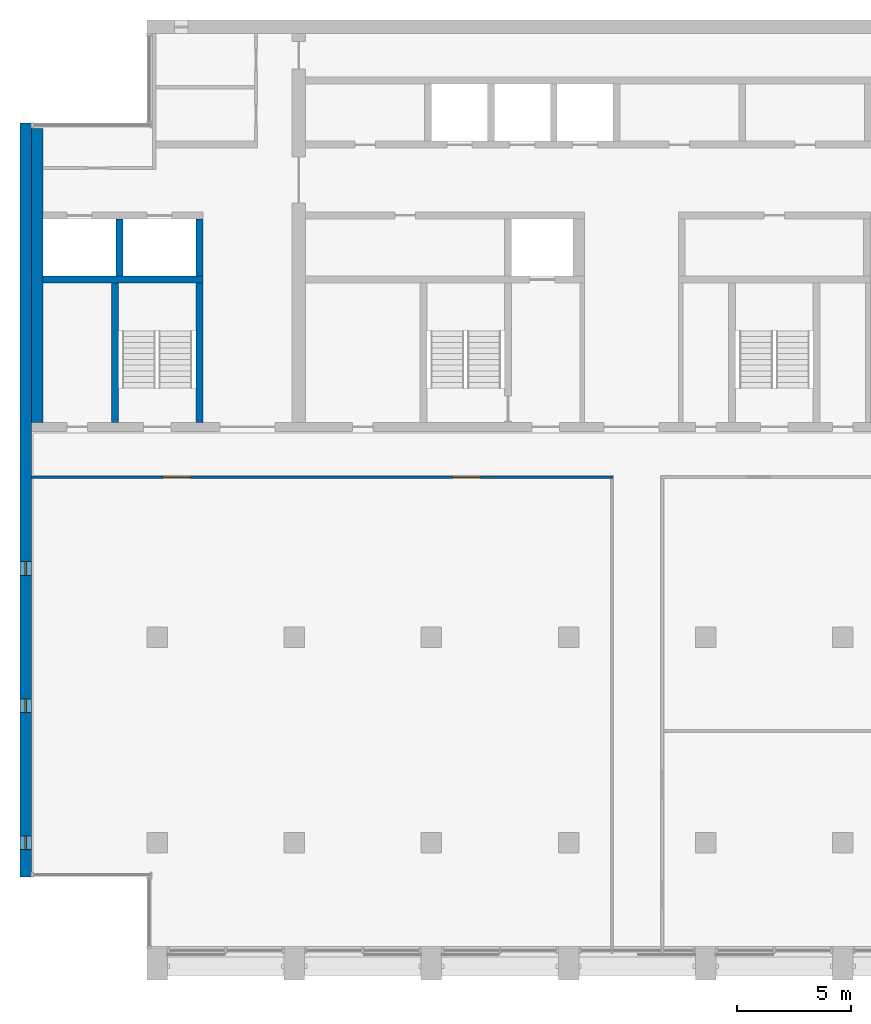
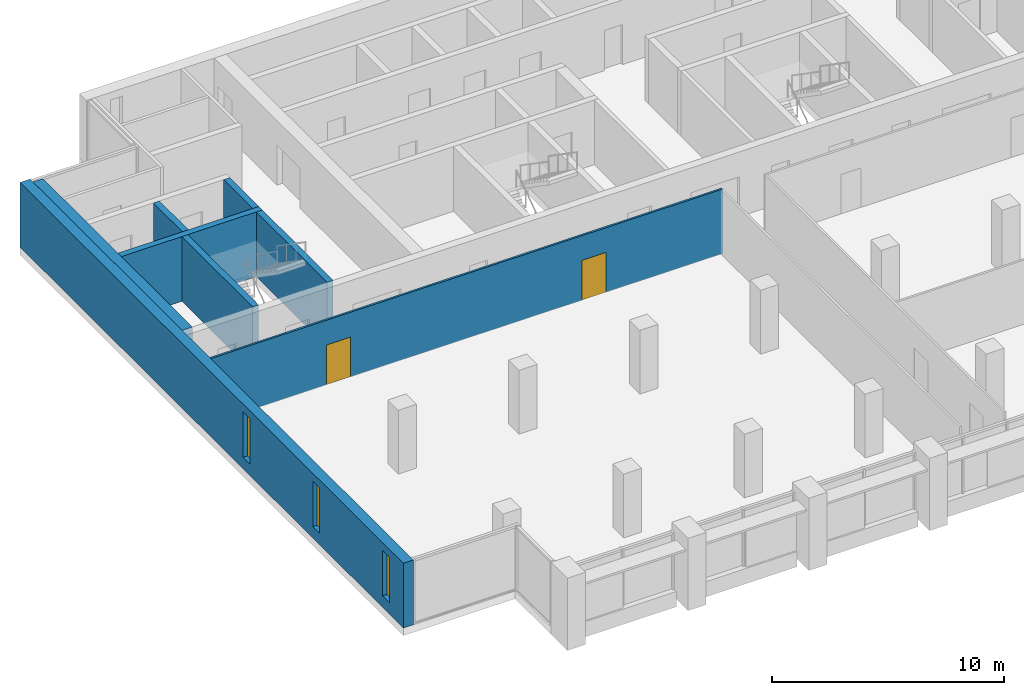
# One storey, part 7 of 14: 8 walls, 3 windows, 2 doors, 5 openings.
"""IFC4 building model written with IfcOpenShell, lengths in metres."""

from ifc_helpers import new_model, si_unit, direction, frame, frame_2d, origin, place, context, subcontext, project, spatial, rectangle, extrude, material, layer, layer_set, type_object, element, fill, save


model = new_model("IFC4")

# Units and contexts
model_context = context("Model", 3, precision=1e-05, world=origin(), true_north=direction((0.0, 1.0)))
body_context = subcontext(model_context, "Body", "Model", "MODEL_VIEW")
ifc_project = project(units=[si_unit("LENGTHUNIT", "METRE"), si_unit("AREAUNIT", "SQUARE_METRE"), si_unit("VOLUMEUNIT", "CUBIC_METRE"), si_unit("PLANEANGLEUNIT", "RADIAN"), si_unit("MASSUNIT", "GRAM", prefix="KILO")], contexts=[model_context])

# Site, building, storey
site_placement = place(None, origin())
site = spatial("IfcSite", under=ifc_project, at=site_placement, CompositionType="ELEMENT")
building_placement = place(site_placement, origin())
building = spatial("IfcBuilding", under=site, at=building_placement, Name="Calvaro Tower", CompositionType="ELEMENT")
storey_placement = place(building_placement, frame((0.0, 0.0, 243.14990234375)))
storey = spatial("IfcBuildingStorey", under=building, at=storey_placement, Name="L61", CompositionType="ELEMENT", Elevation=243.14990234375)

# Walls
ifc_material_1 = material(Name="Concrete C40/50", Category="concrete")
ifc_layer_1 = layer(ifc_material_1, 0.300048828125)
ifc_layer_set_1 = layer_set([ifc_layer_1], Name="Concrete C40/50")
wall_type_1 = type_object("IfcWallType", Name="Core wall C40/50 300", PredefinedType="SHEAR", material=ifc_layer_set_1)
for number, where, z_axis, x_axis, name in (
    (1, (10.14990234375, 28.39990234375, 0.0), (0.0, 0.0, 1.0), (0.0, 1.0, 0.0), "Core wall, stair enclosure"),
    (2, (13.85009765625, 28.39990234375, 0.0), (0.0, 0.0, 1.0), (0.0, 1.0, 0.0), "Core wall, stair enclosure"),
):
    element("IfcWall", number, at=place(storey_placement, frame(where, z_axis=z_axis, x_axis=x_axis)), inside=storey, type_object=wall_type_1, Name=name, PredefinedType="SHEAR", context=body_context, shape_type="SweptSolid", body=[
        extrude(rectangle(XDim=6.10009765625, YDim=0.300048828125, at=frame_2d((3.050048828125, 0.0))), origin(), (0.0, 0.0, 1.0), 3.400146484375),
    ])
wall_1_placement = place(storey_placement, frame((7.0, 34.64990234375, 0.0), z_axis=(0.0, 0.0, 1.0), x_axis=(1.0, 0.0, 0.0)))
element("IfcWall", 3, at=wall_1_placement, inside=storey, type_object=wall_type_1, Name="Core wall, lift shaft", PredefinedType="SHEAR", context=body_context, shape_type="SweptSolid", body=[
    extrude(rectangle(XDim=7.0, YDim=0.300048828125, at=frame_2d((3.5, 0.0))), origin(), (0.0, 0.0, 1.0), 3.400146484375),
])
for number, where, z_axis, x_axis, name in (
    (4, (13.85009765625, 34.800048828125, 0.0), (0.0, 0.0, 1.0), (0.0, 1.0, 0.0), "Core wall, lift shaft"),
    (5, (10.35009765625, 34.800048828125, 0.0), (0.0, 0.0, 1.0), (0.0, 1.0, 0.0), "Core wall, lift shaft"),
):
    element("IfcWall", number, at=place(storey_placement, frame(where, z_axis=z_axis, x_axis=x_axis)), inside=storey, type_object=wall_type_1, Name=name, PredefinedType="SHEAR", context=body_context, shape_type="SweptSolid", body=[
        extrude(rectangle(XDim=2.5, YDim=0.300048828125, at=frame_2d((1.25, 0.0))), origin(), (0.0, 0.0, 1.0), 3.400146484375),
    ])
ifc_material_2 = material(Name="Concrete C40/50", Category="concrete")
ifc_layer_2 = layer(ifc_material_2, 0.5)
ifc_layer_set_2 = layer_set([ifc_layer_2], Name="Concrete C40/50")
wall_type_2 = type_object("IfcWallType", Name="Core wall C40/50 500", PredefinedType="SHEAR", material=ifc_layer_set_2)
wall_2_placement = place(storey_placement, frame((6.75, 28.39990234375, 0.0), z_axis=(0.0, 0.0, 1.0), x_axis=(0.0, 1.0, 0.0)))
element("IfcWall", 6, at=wall_2_placement, inside=storey, type_object=wall_type_2, Name="Core wall, boundary", PredefinedType="SHEAR", context=body_context, shape_type="SweptSolid", body=[
    extrude(rectangle(XDim=12.85009765625, YDim=0.5, at=frame_2d((6.425048828125, 0.0))), origin(), (0.0, 0.0, 1.0), 3.400146484375),
])

# Wall, openings, windows
ifc_material_3 = material(Name="Concrete C40/50", Category="concrete")
ifc_layer_3 = layer(ifc_material_3, 0.5)
ifc_layer_set_3 = layer_set([ifc_layer_3], Name="Concrete C40/50")
wall_type_3 = type_object("IfcWallType", Name="End wall 500 C40/50", PredefinedType="SHEAR", material=ifc_layer_set_3)
wall_3_placement = place(storey_placement, frame((6.25, 8.5, 0.0), z_axis=(0.0, 0.0, 1.0), x_axis=(0.0, 1.0, 0.0)))
wall_3 = element("IfcWall", 7, at=wall_3_placement, inside=storey, type_object=wall_type_3, Name="End shear wall", PredefinedType="SHEAR", context=body_context, shape_type="SweptSolid", body=[
    extrude(rectangle(XDim=33.0, YDim=0.5, at=frame_2d((16.5, 0.0))), origin(), (0.0, 0.0, 1.0), 3.400146484375),
])
opening_1_placement = place(wall_3_placement, frame((1.199951171875, 0.0, 0.60009765625)))
opening_1 = element("IfcOpeningElement", 8, at=opening_1_placement, cuts=wall_3, Name="Opening WW01", PredefinedType="OPENING", context=body_context, shape_type="SweptSolid", body=[
    extrude(rectangle(XDim=0.60009765625, YDim=2.39990234375, at=frame_2d((0.300048828125, 1.199951171875))), frame((0.0, 0.260009765625, 0.0), z_axis=(0.0, -1.0, 0.0), x_axis=(1.0, 0.0, 0.0)), (0.0, 0.0, 1.0), 0.52001953125),
])
opening_2_placement = place(wall_3_placement, frame((7.199951171875, 0.0, 0.60009765625)))
opening_2 = element("IfcOpeningElement", 9, at=opening_2_placement, cuts=wall_3, Name="Opening WW02", PredefinedType="OPENING", context=body_context, shape_type="SweptSolid", body=[
    extrude(rectangle(XDim=0.60009765625, YDim=2.39990234375, at=frame_2d((0.300048828125, 1.199951171875))), frame((0.0, 0.260009765625, 0.0), z_axis=(0.0, -1.0, 0.0), x_axis=(1.0, 0.0, 0.0)), (0.0, 0.0, 1.0), 0.52001953125),
])
opening_3_placement = place(wall_3_placement, frame((13.199951171875, 0.0, 0.60009765625)))
opening_3 = element("IfcOpeningElement", 10, at=opening_3_placement, cuts=wall_3, Name="Opening WW03", PredefinedType="OPENING", context=body_context, shape_type="SweptSolid", body=[
    extrude(rectangle(XDim=0.60009765625, YDim=2.39990234375, at=frame_2d((0.300048828125, 1.199951171875))), frame((0.0, 0.260009765625, 0.0), z_axis=(0.0, -1.0, 0.0), x_axis=(1.0, 0.0, 0.0)), (0.0, 0.0, 1.0), 0.52001953125),
])
ifc_material_4 = material(Name="Glass", Category="glass")
window_type = type_object("IfcWindowType", Name="Slit window 600 x 2400", PartitioningType="SINGLE_PANEL", PredefinedType="WINDOW", material=ifc_material_4)
window_1_placement = place(opening_1_placement, origin())
window_1 = element("IfcWindow", 11, at=window_1_placement, inside=storey, type_object=window_type, Name="Window WW01", OverallHeight=2.39990234375, OverallWidth=0.60009765625, PartitioningType="SINGLE_PANEL", PredefinedType="WINDOW", context=body_context, shape_type="SweptSolid", body=[
    extrude(rectangle(XDim=0.60009765625, YDim=2.39990234375, at=frame_2d((0.300048828125, 1.199951171875))), frame((0.0, 0.030029296875, 0.0), z_axis=(0.0, -1.0, 0.0), x_axis=(1.0, 0.0, 0.0)), (0.0, 0.0, 1.0), 0.06005859375),
])
fill(opening_1, window_1)
window_2_placement = place(opening_2_placement, origin())
window_2 = element("IfcWindow", 12, at=window_2_placement, inside=storey, type_object=window_type, Name="Window WW02", OverallHeight=2.39990234375, OverallWidth=0.60009765625, PartitioningType="SINGLE_PANEL", PredefinedType="WINDOW", context=body_context, shape_type="SweptSolid", body=[
    extrude(rectangle(XDim=0.60009765625, YDim=2.39990234375, at=frame_2d((0.300048828125, 1.199951171875))), frame((0.0, 0.030029296875, 0.0), z_axis=(0.0, -1.0, 0.0), x_axis=(1.0, 0.0, 0.0)), (0.0, 0.0, 1.0), 0.06005859375),
])
fill(opening_2, window_2)
window_3_placement = place(opening_3_placement, origin())
window_3 = element("IfcWindow", 13, at=window_3_placement, inside=storey, type_object=window_type, Name="Window WW03", OverallHeight=2.39990234375, OverallWidth=0.60009765625, PartitioningType="SINGLE_PANEL", PredefinedType="WINDOW", context=body_context, shape_type="SweptSolid", body=[
    extrude(rectangle(XDim=0.60009765625, YDim=2.39990234375, at=frame_2d((0.300048828125, 1.199951171875))), frame((0.0, 0.030029296875, 0.0), z_axis=(0.0, -1.0, 0.0), x_axis=(1.0, 0.0, 0.0)), (0.0, 0.0, 1.0), 0.06005859375),
])
fill(opening_3, window_3)

# Wall, openings, doors
ifc_material_5 = material(Name="Plasterboard on steel studs", Category="steel")
ifc_layer_4 = layer(ifc_material_5, 0.10009765625)
ifc_layer_set_4 = layer_set([ifc_layer_4], Name="Plasterboard on steel studs")
wall_type_4 = type_object("IfcWallType", Name="Partition 100", PredefinedType="PARTITIONING", material=ifc_layer_set_4)
wall_4_placement = place(storey_placement, frame((6.5, 26.0, 0.0), z_axis=(0.0, 0.0, 1.0), x_axis=(1.0, 0.0, 0.0)))
wall_4 = element("IfcWall", 14, at=wall_4_placement, inside=storey, type_object=wall_type_4, Name="Partition T35.W002", PredefinedType="PARTITIONING", context=body_context, shape_type="SweptSolid", body=[
    extrude(rectangle(XDim=25.449951171875, YDim=0.10009765625, at=frame_2d((12.72509765625, 0.0))), origin(), (0.0, 0.0, 1.0), 3.400146484375),
])
opening_4_placement = place(wall_4_placement, frame((5.75, 0.0, 0.0)))
opening_4 = element("IfcOpeningElement", 15, at=opening_4_placement, cuts=wall_4, Name="Opening T35.003", PredefinedType="OPENING", context=body_context, shape_type="SweptSolid", body=[
    extrude(rectangle(XDim=1.199951171875, YDim=2.10009765625, at=frame_2d((0.60009765625, 1.050048828125))), frame((0.0, 0.06005859375, 0.0), z_axis=(0.0, -1.0, 0.0), x_axis=(1.0, 0.0, 0.0)), (0.0, 0.0, 1.0), 0.1201171875),
])
opening_5_placement = place(wall_4_placement, frame((18.449951171875, 0.0, 0.0)))
opening_5 = element("IfcOpeningElement", 16, at=opening_5_placement, cuts=wall_4, Name="Opening T35.004", PredefinedType="OPENING", context=body_context, shape_type="SweptSolid", body=[
    extrude(rectangle(XDim=1.199951171875, YDim=2.10009765625, at=frame_2d((0.60009765625, 1.050048828125))), frame((0.0, 0.06005859375, 0.0), z_axis=(0.0, -1.0, 0.0), x_axis=(1.0, 0.0, 0.0)), (0.0, 0.0, 1.0), 0.1201171875),
])
ifc_material_6 = material(Name="Timber", Category="wood")
door_type = type_object("IfcDoorType", Name="Internal single door 1200 x 2100", OperationType="SINGLE_SWING_LEFT", PredefinedType="DOOR", material=ifc_material_6)
door_1_placement = place(opening_4_placement, origin())
door_1 = element("IfcDoor", 17, at=door_1_placement, inside=storey, type_object=door_type, Name="Door T35.003", OperationType="SINGLE_SWING_LEFT", OverallHeight=2.10009765625, OverallWidth=1.199951171875, PredefinedType="DOOR", context=body_context, shape_type="SweptSolid", body=[
    extrude(rectangle(XDim=1.199951171875, YDim=2.10009765625, at=frame_2d((0.60009765625, 1.050048828125))), frame((0.0, 0.02490234375, 0.0), z_axis=(0.0, -1.0, 0.0), x_axis=(1.0, 0.0, 0.0)), (0.0, 0.0, 1.0), 0.050048828125),
])
fill(opening_4, door_1)
door_2_placement = place(opening_5_placement, origin())
door_2 = element("IfcDoor", 18, at=door_2_placement, inside=storey, type_object=door_type, Name="Door T35.004", OperationType="SINGLE_SWING_RIGHT", OverallHeight=2.10009765625, OverallWidth=1.199951171875, PredefinedType="DOOR", context=body_context, shape_type="SweptSolid", body=[
    extrude(rectangle(XDim=1.199951171875, YDim=2.10009765625, at=frame_2d((0.60009765625, 1.050048828125))), frame((0.0, 0.02490234375, 0.0), z_axis=(0.0, -1.0, 0.0), x_axis=(1.0, 0.0, 0.0)), (0.0, 0.0, 1.0), 0.050048828125),
])
fill(opening_5, door_2)

save(model, "model.ifc")
